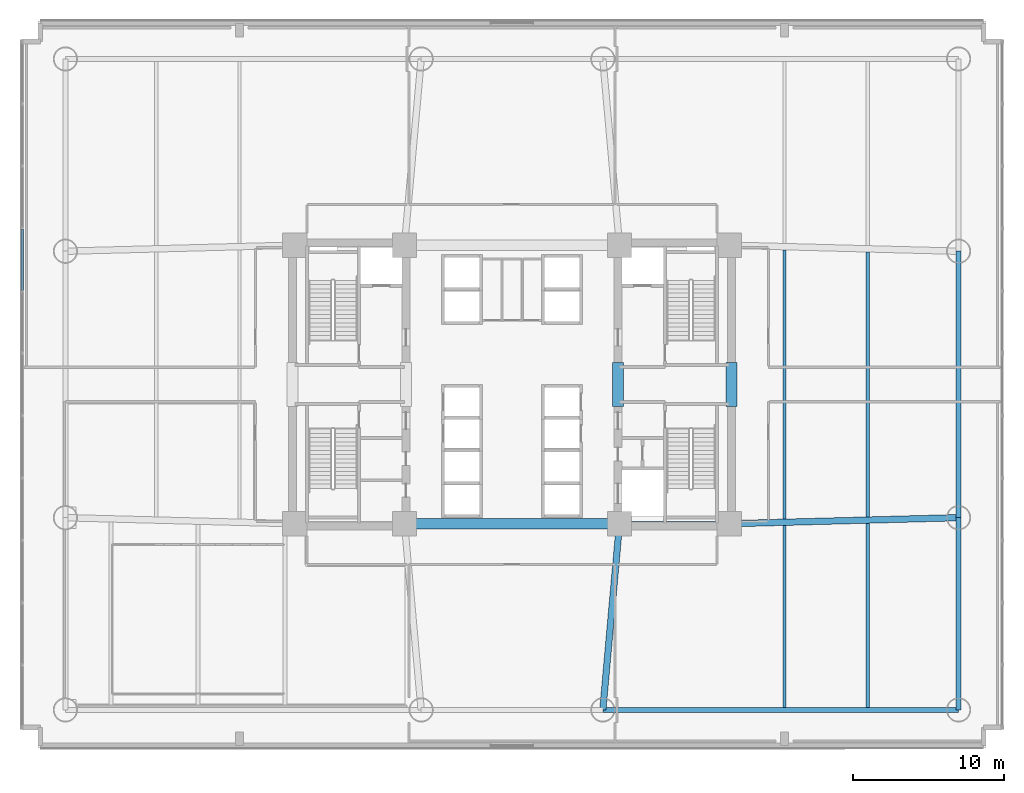
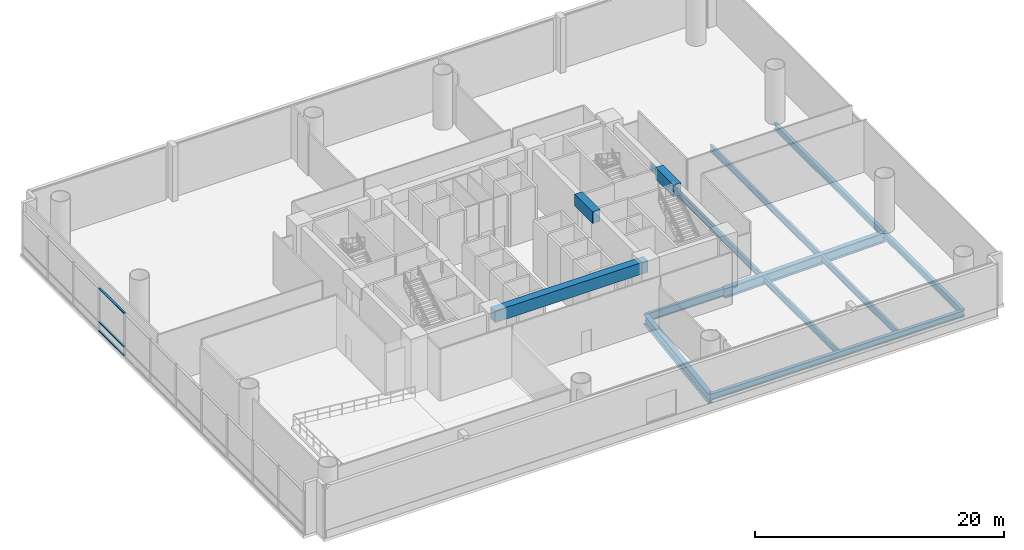
# One storey, part 3 of 15: 13 beams, 3 members, 1 element without a shape of its own.
"""IFC4 building model written with IfcOpenShell, lengths in metres."""

from ifc_helpers import new_model, si_unit, direction, frame, origin, origin_2d, place, context, subcontext, project, spatial, rectangle, i_section, extrude, source, transform, mapped, material, layer, layer_set, material_profile, profile_set, type_object, element, aggregate, save


model = new_model("IFC4")

# Units and contexts
model_context = context("Model", 3, precision=1e-05, world=origin(), true_north=direction((0.0, 1.0)))
body_context = subcontext(model_context, "Body", "Model", "MODEL_VIEW")
ifc_project = project(units=[si_unit("LENGTHUNIT", "METRE"), si_unit("AREAUNIT", "SQUARE_METRE"), si_unit("VOLUMEUNIT", "CUBIC_METRE"), si_unit("PLANEANGLEUNIT", "RADIAN"), si_unit("MASSUNIT", "GRAM", prefix="KILO")], contexts=[model_context])

# Site, building, storey
site_placement = place(None, origin())
site = spatial("IfcSite", under=ifc_project, at=site_placement, CompositionType="ELEMENT")
building_placement = place(site_placement, origin())
building = spatial("IfcBuilding", under=site, at=building_placement, Name="Zahravan Cultural Tower", CompositionType="ELEMENT")
storey_placement = place(building_placement, frame((0.0, 0.0, 12.60009765625)))
storey = spatial("IfcBuildingStorey", under=building, at=storey_placement, Name="L02", CompositionType="ELEMENT", Elevation=12.60009765625)

# Beams
ifc_material_1 = material(Name="Concrete C50/60", Category="concrete")
ifc_material_profile_1 = material_profile(ifc_material_1, rectangle(XDim=0.699951171875, YDim=1.14990234375, at=origin_2d()), Name="RC700X1150")
ifc_profile_set_1 = profile_set([ifc_material_profile_1], Name="Concrete C50/60")
beam_type_1 = type_object("IfcBeamType", Name="BM-LN-RC700X1150", PredefinedType="LINTEL", material=ifc_profile_set_1)
shared_shape_1 = source(origin(), body_context, "Body", "SweptSolid", [
    extrude(rectangle(XDim=0.699951171875, YDim=1.14990234375, at=origin_2d()), origin(), (0.0, 0.0, 1.0), 14.2001953125),
])
beam_1_placement = place(storey_placement, frame((28.89990234375, 17.800048828125, 4.52490234375), z_axis=(1.0, 0.0, 0.0), x_axis=(0.0, 1.0, 0.0)))
element("IfcBeam", 1, at=beam_1_placement, inside=storey, type_object=beam_type_1, Name="L02 Beam LN-L02-S", PredefinedType="LINTEL", context=body_context, shape_type="MappedRepresentation", body=[
    mapped(shared_shape_1, transform((0.0, 0.0, 0.0), x_axis=(1.0, 0.0, 0.0), y_axis=(0.0, 1.0, 0.0), z_axis=(0.0, 0.0, 1.0), scale=1.0)),
])
shared_shape_2 = source(origin(), body_context, "Body", "SweptSolid", [
    extrude(rectangle(XDim=0.699951171875, YDim=1.14990234375, at=origin_2d()), origin(), (0.0, 0.0, 1.0), 2.89990234375),
])
for number, where, z_axis, x_axis, name in (
    (2, (43.0, 25.550048828125, 4.52490234375), (0.0, 1.0, 0.0), (-1.0, 0.0, 0.0), "L02 Beam LN-L02-PEW"),
    (3, (50.5, 25.550048828125, 4.52490234375), (0.0, 1.0, 0.0), (-1.0, 0.0, 0.0), "L02 Beam LN-L02-PEE"),
):
    element("IfcBeam", number, at=place(storey_placement, frame(where, z_axis=z_axis, x_axis=x_axis)), inside=storey, type_object=beam_type_1, Name=name, PredefinedType="LINTEL", context=body_context, shape_type="MappedRepresentation", body=[
        mapped(shared_shape_2, transform((0.0, 0.0, 0.0), x_axis=(1.0, 0.0, 0.0), y_axis=(0.0, 1.0, 0.0), z_axis=(0.0, 0.0, 1.0), scale=1.0)),
    ])
ifc_material_2 = material(Name="Steel ASTM A992 Grade 50", Category="steel")
ifc_material_profile_2 = material_profile(ifc_material_2, i_section(OverallWidth=0.26611328125, OverallDepth=0.780029296875, WebThickness=0.0166015625, FlangeThickness=0.030029296875, FilletRadius=0.01904296875, at=origin_2d()), Name="W30X148")
ifc_profile_set_2 = profile_set([ifc_material_profile_2], Name="Steel ASTM A992 Grade 50")
beam_type_2 = type_object("IfcBeamType", Name="BM-G-W30X148", PredefinedType="BEAM", material=ifc_profile_set_2)
shared_shape_3 = source(origin(), body_context, "Body", "SweptSolid", [
    extrude(i_section(OverallWidth=0.26611328125, OverallDepth=0.780029296875, WebThickness=0.0166015625, FlangeThickness=0.030029296875, FilletRadius=0.01904296875, at=origin_2d()), origin(), (0.0, 0.0, 1.0), 7.25),
])
beam_2_placement = place(storey_placement, frame((43.10009765625, 17.800048828125, -0.690185546875), z_axis=(1.0, 0.0, 0.0), x_axis=(0.0, 1.0, 0.0)))
element("IfcBeam", 4, at=beam_2_placement, inside=storey, type_object=beam_type_2, Name="L02 Beam BG-L02-04", PredefinedType="BEAM", context=body_context, shape_type="MappedRepresentation", body=[
    mapped(shared_shape_3, transform((0.0, 0.0, 0.0), x_axis=(1.0, 0.0, 0.0), y_axis=(0.0, 1.0, 0.0), z_axis=(0.0, 0.0, 1.0), scale=1.0)),
])
ifc_material_profile_3 = material_profile(ifc_material_2, i_section(OverallWidth=0.326904296875, OverallDepth=0.6220703125, WebThickness=0.015380859375, FlangeThickness=0.0244140625, FilletRadius=0.014892578125, at=origin_2d()), Name="W24X131")
ifc_profile_set_3 = profile_set([ifc_material_profile_3], Name="Steel ASTM A992 Grade 50")
beam_type_3 = type_object("IfcBeamType", Name="BM-SP-W24X131", PredefinedType="SPANDREL", material=ifc_profile_set_3)
shared_shape_4 = source(origin(), body_context, "Body", "SweptSolid", [
    extrude(i_section(OverallWidth=0.326904296875, OverallDepth=0.6220703125, WebThickness=0.015380859375, FlangeThickness=0.0244140625, FilletRadius=0.014892578125, at=origin_2d()), origin(), (0.0, 0.0, 1.0), 23.5),
])
beam_3_placement = place(storey_placement, frame((42.0, 5.5, -0.611083984375), z_axis=(1.0, 0.0, 0.0), x_axis=(0.0, 1.0, 0.0)))
element("IfcBeam", 5, at=beam_3_placement, inside=storey, type_object=beam_type_3, Name="L02 Beam BG-L02-09", PredefinedType="SPANDREL", context=body_context, shape_type="MappedRepresentation", body=[
    mapped(shared_shape_4, transform((0.0, 0.0, 0.0), x_axis=(1.0, 0.0, 0.0), y_axis=(0.0, 1.0, 0.0), z_axis=(0.0, 0.0, 1.0), scale=1.0)),
])
shared_shape_5 = source(origin(), body_context, "Body", "SweptSolid", [
    extrude(i_section(OverallWidth=0.326904296875, OverallDepth=0.6220703125, WebThickness=0.015380859375, FlangeThickness=0.0244140625, FilletRadius=0.014892578125, at=origin_2d()), origin(), (0.0, 0.0, 1.0), 12.699951171875),
])
beam_4_placement = place(storey_placement, frame((65.5, 5.5, -0.611083984375), z_axis=(0.0, 1.0, 0.0), x_axis=(-1.0, 0.0, 0.0)))
element("IfcBeam", 6, at=beam_4_placement, inside=storey, type_object=beam_type_3, Name="L02 Beam BG-L02-16", PredefinedType="SPANDREL", context=body_context, shape_type="MappedRepresentation", body=[
    mapped(shared_shape_5, transform((0.0, 0.0, 0.0), x_axis=(1.0, 0.0, 0.0), y_axis=(0.0, 1.0, 0.0), z_axis=(0.0, 0.0, 1.0), scale=1.0)),
])
shared_shape_6 = source(origin(), body_context, "Body", "SweptSolid", [
    extrude(i_section(OverallWidth=0.326904296875, OverallDepth=0.6220703125, WebThickness=0.015380859375, FlangeThickness=0.0244140625, FilletRadius=0.014892578125, at=origin_2d()), origin(), (0.0, 0.0, 1.0), 17.60009765625),
])
beam_5_placement = place(storey_placement, frame((65.5, 18.199951171875, -0.611083984375), z_axis=(0.0, 1.0, 0.0), x_axis=(-1.0, 0.0, 0.0)))
element("IfcBeam", 7, at=beam_5_placement, inside=storey, type_object=beam_type_3, Name="L02 Beam BG-L02-17", PredefinedType="SPANDREL", context=body_context, shape_type="MappedRepresentation", body=[
    mapped(shared_shape_6, transform((0.0, 0.0, 0.0), x_axis=(1.0, 0.0, 0.0), y_axis=(0.0, 1.0, 0.0), z_axis=(0.0, 0.0, 1.0), scale=1.0)),
])
ifc_material_profile_4 = material_profile(ifc_material_2, i_section(OverallWidth=0.425048828125, OverallDepth=0.965087890625, WebThickness=0.0283203125, FlangeThickness=0.051025390625, FilletRadius=0.02392578125, at=origin_2d()), Name="W36X361")
ifc_profile_set_4 = profile_set([ifc_material_profile_4], Name="Steel ASTM A992 Grade 50")
beam_type_4 = type_object("IfcBeamType", Name="BM-G-W36X361", PredefinedType="BEAM", material=ifc_profile_set_4)
shared_shape_7 = source(origin(), body_context, "Body", "SweptSolid", [
    extrude(i_section(OverallWidth=0.425048828125, OverallDepth=0.965087890625, WebThickness=0.0283203125, FlangeThickness=0.051025390625, FilletRadius=0.02392578125, at=origin_2d()), origin(), (0.0, 0.0, 1.0), 15.1552734375),
])
beam_6_placement = place(storey_placement, frame((65.5, 18.199951171875, -0.78271484375), z_axis=(-0.999651797923, -0.026387173188, 0.0), x_axis=(0.026387173188, -0.999651797923, 0.0)))
element("IfcBeam", 8, at=beam_6_placement, inside=storey, type_object=beam_type_4, Name="L02 Beam BG-L02-21", PredefinedType="BEAM", context=body_context, shape_type="MappedRepresentation", body=[
    mapped(shared_shape_7, transform((0.0, 0.0, 0.0), x_axis=(1.0, 0.0, 0.0), y_axis=(0.0, 1.0, 0.0), z_axis=(0.0, 0.0, 1.0), scale=1.0)),
])
shared_shape_8 = source(origin(), body_context, "Body", "SweptSolid", [
    extrude(i_section(OverallWidth=0.425048828125, OverallDepth=0.965087890625, WebThickness=0.0283203125, FlangeThickness=0.051025390625, FilletRadius=0.02392578125, at=origin_2d()), origin(), (0.0, 0.0, 1.0), 12.34912109375),
])
beam_7_placement = place(storey_placement, frame((42.0, 5.5, -0.78271484375), z_axis=(0.089082890706, 0.996024215862, 0.0), x_axis=(-0.996024215862, 0.089082890706, 0.0)))
element("IfcBeam", 9, at=beam_7_placement, inside=storey, type_object=beam_type_4, Name="L02 Beam BG-L02-24", PredefinedType="BEAM", context=body_context, shape_type="MappedRepresentation", body=[
    mapped(shared_shape_8, transform((0.0, 0.0, 0.0), x_axis=(1.0, 0.0, 0.0), y_axis=(0.0, 1.0, 0.0), z_axis=(0.0, 0.0, 1.0), scale=1.0)),
])
ifc_material_profile_5 = material_profile(ifc_material_2, i_section(OverallWidth=0.22998046875, OverallDepth=0.616943359375, WebThickness=0.01318359375, FlangeThickness=0.022216796875, FilletRadius=0.014892578125, at=origin_2d()), Name="W24X94")
ifc_profile_set_5 = profile_set([ifc_material_profile_5], Name="Steel ASTM A992 Grade 50")
beam_type_5 = type_object("IfcBeamType", Name="BM-J-W24X94", PredefinedType="JOIST", material=ifc_profile_set_5)
shared_shape_9 = source(origin(), body_context, "Body", "SweptSolid", [
    extrude(i_section(OverallWidth=0.22998046875, OverallDepth=0.616943359375, WebThickness=0.01318359375, FlangeThickness=0.022216796875, FilletRadius=0.014892578125, at=origin_2d()), origin(), (0.0, 0.0, 1.0), 12.16357421875),
])
beam_8_placement = place(storey_placement, frame((59.5, 5.6650390625, -0.608642578125), z_axis=(0.0, 1.0, 0.0), x_axis=(-1.0, 0.0, 0.0)))
element("IfcBeam", 10, at=beam_8_placement, inside=storey, type_object=beam_type_5, Name="L02 Beam BJ-L02-37", PredefinedType="JOIST", context=body_context, shape_type="MappedRepresentation", body=[
    mapped(shared_shape_9, transform((0.0, 0.0, 0.0), x_axis=(1.0, 0.0, 0.0), y_axis=(0.0, 1.0, 0.0), z_axis=(0.0, 0.0, 1.0), scale=1.0)),
])
shared_shape_10 = source(origin(), body_context, "Body", "SweptSolid", [
    extrude(i_section(OverallWidth=0.22998046875, OverallDepth=0.616943359375, WebThickness=0.01318359375, FlangeThickness=0.022216796875, FilletRadius=0.014892578125, at=origin_2d()), origin(), (0.0, 0.0, 1.0), 17.49072265625),
])
beam_9_placement = place(storey_placement, frame((59.5, 18.254638671875, -0.608642578125), z_axis=(0.0, 1.0, 0.0), x_axis=(-1.0, 0.0, 0.0)))
element("IfcBeam", 11, at=beam_9_placement, inside=storey, type_object=beam_type_5, Name="L02 Beam BJ-L02-38", PredefinedType="JOIST", context=body_context, shape_type="MappedRepresentation", body=[
    mapped(shared_shape_10, transform((0.0, 0.0, 0.0), x_axis=(1.0, 0.0, 0.0), y_axis=(0.0, 1.0, 0.0), z_axis=(0.0, 0.0, 1.0), scale=1.0)),
])
shared_shape_11 = source(origin(), body_context, "Body", "SweptSolid", [
    extrude(i_section(OverallWidth=0.22998046875, OverallDepth=0.616943359375, WebThickness=0.01318359375, FlangeThickness=0.022216796875, FilletRadius=0.014892578125, at=origin_2d()), origin(), (0.0, 0.0, 1.0), 12.018310546875),
])
beam_10_placement = place(storey_placement, frame((54.0, 5.6650390625, -0.608642578125), z_axis=(0.0, 1.0, 0.0), x_axis=(-1.0, 0.0, 0.0)))
element("IfcBeam", 12, at=beam_10_placement, inside=storey, type_object=beam_type_5, Name="L02 Beam BJ-L02-34", PredefinedType="JOIST", context=body_context, shape_type="MappedRepresentation", body=[
    mapped(shared_shape_11, transform((0.0, 0.0, 0.0), x_axis=(1.0, 0.0, 0.0), y_axis=(0.0, 1.0, 0.0), z_axis=(0.0, 0.0, 1.0), scale=1.0)),
])
shared_shape_12 = source(origin(), body_context, "Body", "SweptSolid", [
    extrude(i_section(OverallWidth=0.22998046875, OverallDepth=0.616943359375, WebThickness=0.01318359375, FlangeThickness=0.022216796875, FilletRadius=0.014892578125, at=origin_2d()), origin(), (0.0, 0.0, 1.0), 17.78125),
])
beam_11_placement = place(storey_placement, frame((54.0, 18.109375, -0.608642578125), z_axis=(0.0, 1.0, 0.0), x_axis=(-1.0, 0.0, 0.0)))
element("IfcBeam", 13, at=beam_11_placement, inside=storey, type_object=beam_type_5, Name="L02 Beam BJ-L02-35", PredefinedType="JOIST", context=body_context, shape_type="MappedRepresentation", body=[
    mapped(shared_shape_12, transform((0.0, 0.0, 0.0), x_axis=(1.0, 0.0, 0.0), y_axis=(0.0, 1.0, 0.0), z_axis=(0.0, 0.0, 1.0), scale=1.0)),
])

# Curtain wall, members
ifc_material_3 = material(Name="Anodised bronze-aluminium mullion", Category="aluminium")
ifc_layer = layer(ifc_material_3, 0.239990234375)
ifc_layer_set = layer_set([ifc_layer], Name="Anodised bronze-aluminium mullion")
curtain_wall_type = type_object("IfcCurtainWallType", Name="CW-SYS-5", PredefinedType="USERDEFINED", material=ifc_layer_set)
curtain_wall_placement = place(storey_placement, origin())
curtain_wall = element("IfcCurtainWall", 14, at=curtain_wall_placement, inside=storey, type_object=curtain_wall_type, Name="L02 Recessed Curtain Wall CW-5.2", ObjectType="RECESSED GLAZING", PredefinedType="USERDEFINED")
ifc_material_profile_6 = material_profile(ifc_material_3, rectangle(XDim=0.179931640625, YDim=0.0849609375, at=origin_2d()), Name="AL-T85X180")
ifc_profile_set_6 = profile_set([ifc_material_profile_6], Name="Anodised bronze-aluminium mullion")
member_type = type_object("IfcMemberType", Name="CWT-CW-5", PredefinedType="USERDEFINED", material=ifc_profile_set_6)
shared_shape_13 = source(origin(), body_context, "Body", "SweptSolid", [
    extrude(rectangle(XDim=0.179931640625, YDim=0.0849609375, at=origin_2d()), origin(), (0.0, 0.0, 1.0), 4.03515625),
])
member_1_placement = place(storey_placement, frame((3.639892578125, 33.222412109375, 0.04248046875), z_axis=(0.0, 1.0, 0.0), x_axis=(-1.0, 0.0, 0.0)))
member_1 = element("IfcMember", 15, at=member_1_placement, type_object=member_type, Name="CW-5 transom 8.1", ObjectType="TRANSOM", PredefinedType="USERDEFINED", context=body_context, shape_type="MappedRepresentation", body=[
    mapped(shared_shape_13, transform((0.0, 0.0, 0.0), x_axis=(1.0, 0.0, 0.0), y_axis=(0.0, 1.0, 0.0), z_axis=(0.0, 0.0, 1.0), scale=1.0)),
])
member_2_placement = place(storey_placement, frame((3.639892578125, 33.222412109375, 0.89990234375), z_axis=(0.0, 1.0, 0.0), x_axis=(-1.0, 0.0, 0.0)))
member_2 = element("IfcMember", 16, at=member_2_placement, type_object=member_type, Name="CW-5 transom 8.2", ObjectType="TRANSOM", PredefinedType="USERDEFINED", context=body_context, shape_type="MappedRepresentation", body=[
    mapped(shared_shape_13, transform((0.0, 0.0, 0.0), x_axis=(1.0, 0.0, 0.0), y_axis=(0.0, 1.0, 0.0), z_axis=(0.0, 0.0, 1.0), scale=1.0)),
])
member_3_placement = place(storey_placement, frame((3.639892578125, 33.222412109375, 4.177490234375), z_axis=(0.0, 1.0, 0.0), x_axis=(-1.0, 0.0, 0.0)))
member_3 = element("IfcMember", 17, at=member_3_placement, type_object=member_type, Name="CW-5 transom 8.3", ObjectType="TRANSOM", PredefinedType="USERDEFINED", context=body_context, shape_type="MappedRepresentation", body=[
    mapped(shared_shape_13, transform((0.0, 0.0, 0.0), x_axis=(1.0, 0.0, 0.0), y_axis=(0.0, 1.0, 0.0), z_axis=(0.0, 0.0, 1.0), scale=1.0)),
])
aggregate(curtain_wall, [member_1, member_2, member_3])

save(model, "model.ifc")
